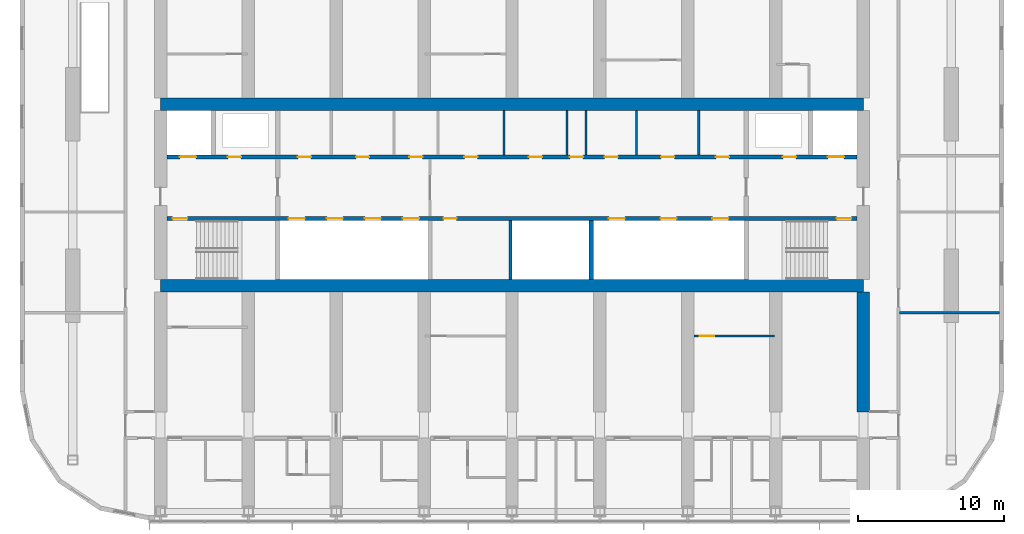
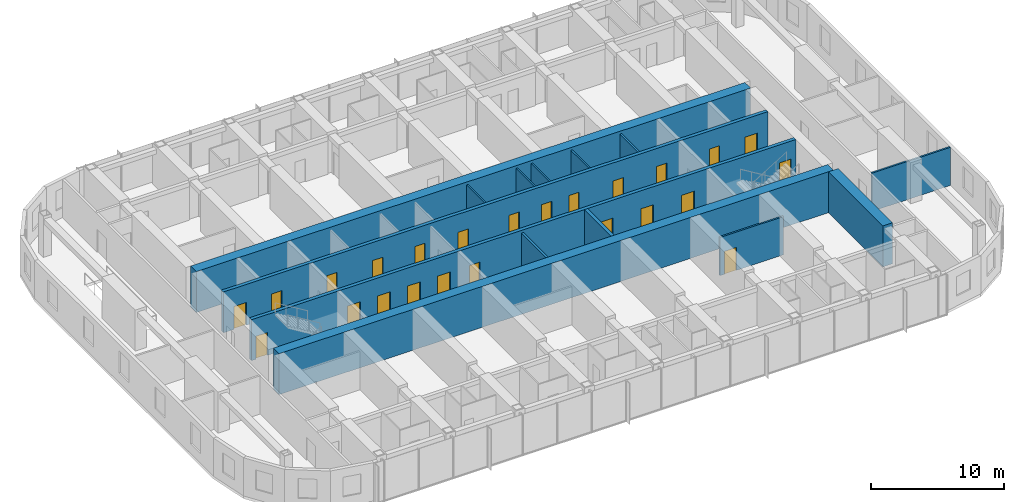
# One storey, part 13 of 22: 24 doors, 14 walls, 24 openings.
"""IFC4 building model written with IfcOpenShell, lengths in metres."""

from ifc_helpers import new_model, si_unit, direction, frame, frame_2d, origin, place, context, subcontext, project, spatial, rectangle, extrude, material, layer, layer_set, type_object, element, fill, save


model = new_model("IFC4")

# Units and contexts
model_context = context("Model", 3, precision=1e-05, world=origin(), true_north=direction((0.0, 1.0)))
body_context = subcontext(model_context, "Body", "Model", "MODEL_VIEW")
ifc_project = project(units=[si_unit("LENGTHUNIT", "METRE"), si_unit("AREAUNIT", "SQUARE_METRE"), si_unit("VOLUMEUNIT", "CUBIC_METRE"), si_unit("PLANEANGLEUNIT", "RADIAN"), si_unit("MASSUNIT", "GRAM", prefix="KILO")], contexts=[model_context])

# Site, building, storey
site_placement = place(None, origin())
site = spatial("IfcSite", under=ifc_project, at=site_placement, CompositionType="ELEMENT")
building_placement = place(site_placement, origin())
building = spatial("IfcBuilding", under=site, at=building_placement, Name="Orbita Commons", CompositionType="ELEMENT")
storey_placement = place(building_placement, frame((0.0, 0.0, 167.35009765625)))
storey = spatial("IfcBuildingStorey", under=building, at=storey_placement, Name="L41", CompositionType="ELEMENT", Elevation=167.35009765625)

# Wall, openings, doors
ifc_material_1 = material(Name="Concrete C50/60", Category="concrete")
ifc_layer_1 = layer(ifc_material_1, 0.300048828125)
ifc_layer_set_1 = layer_set([ifc_layer_1], Name="Concrete C50/60")
wall_type_1 = type_object("IfcWallType", Name="Core inner wall 300 C50/60", PredefinedType="SHEAR", material=ifc_layer_set_1)
wall_1_placement = place(storey_placement, frame((18.425048828125, 30.39990234375, 0.0), z_axis=(0.0, 0.0, 1.0), x_axis=(1.0, 0.0, 0.0)))
wall_1 = element("IfcWall", 1, at=wall_1_placement, inside=storey, type_object=wall_type_1, Name="Lobby wall south L41", PredefinedType="SHEAR", context=body_context, shape_type="SweptSolid", body=[
    extrude(rectangle(XDim=47.14990234375, YDim=0.300048828125, at=frame_2d((23.574951171875, 0.0))), origin(), (0.0, 0.0, 1.0), 3.75),
])
opening_1_placement = place(wall_1_placement, frame((0.39990234375, 0.0, 0.0)))
opening_1 = element("IfcOpeningElement", 2, at=opening_1_placement, cuts=wall_1, Name="Opening D02", PredefinedType="OPENING", context=body_context, shape_type="SweptSolid", body=[
    extrude(rectangle(XDim=1.0, YDim=2.10009765625, at=frame_2d((0.5, 1.050048828125))), frame((0.0, 0.159912109375, 0.0), z_axis=(0.0, -1.0, 0.0), x_axis=(1.0, 0.0, 0.0)), (0.0, 0.0, 1.0), 0.320068359375),
])
opening_2_placement = place(wall_1_placement, frame((45.75, 0.0, 0.0)))
opening_2 = element("IfcOpeningElement", 3, at=opening_2_placement, cuts=wall_1, Name="Opening D02", PredefinedType="OPENING", context=body_context, shape_type="SweptSolid", body=[
    extrude(rectangle(XDim=1.0, YDim=2.10009765625, at=frame_2d((0.5, 1.050048828125))), frame((0.0, 0.159912109375, 0.0), z_axis=(0.0, -1.0, 0.0), x_axis=(1.0, 0.0, 0.0)), (0.0, 0.0, 1.0), 0.320068359375),
])
opening_3_placement = place(wall_1_placement, frame((8.324951171875, 0.0, 0.0)))
opening_3 = element("IfcOpeningElement", 4, at=opening_3_placement, cuts=wall_1, Name="Opening LD02", PredefinedType="OPENING", context=body_context, shape_type="SweptSolid", body=[
    extrude(rectangle(XDim=1.10009765625, YDim=2.10009765625, at=frame_2d((0.550048828125, 1.050048828125))), frame((0.0, 0.159912109375, 0.0), z_axis=(0.0, -1.0, 0.0), x_axis=(1.0, 0.0, 0.0)), (0.0, 0.0, 1.0), 0.320068359375),
])
opening_4_placement = place(wall_1_placement, frame((10.925048828125, 0.0, 0.0)))
opening_4 = element("IfcOpeningElement", 5, at=opening_4_placement, cuts=wall_1, Name="Opening LD02", PredefinedType="OPENING", context=body_context, shape_type="SweptSolid", body=[
    extrude(rectangle(XDim=1.10009765625, YDim=2.10009765625, at=frame_2d((0.550048828125, 1.050048828125))), frame((0.0, 0.159912109375, 0.0), z_axis=(0.0, -1.0, 0.0), x_axis=(1.0, 0.0, 0.0)), (0.0, 0.0, 1.0), 0.320068359375),
])
opening_5_placement = place(wall_1_placement, frame((13.52490234375, 0.0, 0.0)))
opening_5 = element("IfcOpeningElement", 6, at=opening_5_placement, cuts=wall_1, Name="Opening LD02", PredefinedType="OPENING", context=body_context, shape_type="SweptSolid", body=[
    extrude(rectangle(XDim=1.10009765625, YDim=2.10009765625, at=frame_2d((0.550048828125, 1.050048828125))), frame((0.0, 0.159912109375, 0.0), z_axis=(0.0, -1.0, 0.0), x_axis=(1.0, 0.0, 0.0)), (0.0, 0.0, 1.0), 0.320068359375),
])
opening_6_placement = place(wall_1_placement, frame((16.125, 0.0, 0.0)))
opening_6 = element("IfcOpeningElement", 7, at=opening_6_placement, cuts=wall_1, Name="Opening LD02", PredefinedType="OPENING", context=body_context, shape_type="SweptSolid", body=[
    extrude(rectangle(XDim=1.10009765625, YDim=2.10009765625, at=frame_2d((0.550048828125, 1.050048828125))), frame((0.0, 0.159912109375, 0.0), z_axis=(0.0, -1.0, 0.0), x_axis=(1.0, 0.0, 0.0)), (0.0, 0.0, 1.0), 0.320068359375),
])
opening_7_placement = place(wall_1_placement, frame((18.89990234375, 0.0, 0.0)))
opening_7 = element("IfcOpeningElement", 8, at=opening_7_placement, cuts=wall_1, Name="Opening D05", PredefinedType="OPENING", context=body_context, shape_type="SweptSolid", body=[
    extrude(rectangle(XDim=0.89990234375, YDim=2.10009765625, at=frame_2d((0.449951171875, 1.050048828125))), frame((0.0, 0.159912109375, 0.0), z_axis=(0.0, -1.0, 0.0), x_axis=(1.0, 0.0, 0.0)), (0.0, 0.0, 1.0), 0.320068359375),
])
opening_8_placement = place(wall_1_placement, frame((30.191650390625, 0.0, 0.0)))
opening_8 = element("IfcOpeningElement", 9, at=opening_8_placement, cuts=wall_1, Name="Opening LD02", PredefinedType="OPENING", context=body_context, shape_type="SweptSolid", body=[
    extrude(rectangle(XDim=1.10009765625, YDim=2.10009765625, at=frame_2d((0.550048828125, 1.050048828125))), frame((0.0, 0.159912109375, 0.0), z_axis=(0.0, -1.0, 0.0), x_axis=(1.0, 0.0, 0.0)), (0.0, 0.0, 1.0), 0.320068359375),
])
opening_9_placement = place(wall_1_placement, frame((33.72509765625, 0.0, 0.0)))
opening_9 = element("IfcOpeningElement", 10, at=opening_9_placement, cuts=wall_1, Name="Opening LD02", PredefinedType="OPENING", context=body_context, shape_type="SweptSolid", body=[
    extrude(rectangle(XDim=1.10009765625, YDim=2.10009765625, at=frame_2d((0.550048828125, 1.050048828125))), frame((0.0, 0.159912109375, 0.0), z_axis=(0.0, -1.0, 0.0), x_axis=(1.0, 0.0, 0.0)), (0.0, 0.0, 1.0), 0.320068359375),
])
opening_10_placement = place(wall_1_placement, frame((37.25830078125, 0.0, 0.0)))
opening_10 = element("IfcOpeningElement", 11, at=opening_10_placement, cuts=wall_1, Name="Opening LD02", PredefinedType="OPENING", context=body_context, shape_type="SweptSolid", body=[
    extrude(rectangle(XDim=1.10009765625, YDim=2.10009765625, at=frame_2d((0.550048828125, 1.050048828125))), frame((0.0, 0.159912109375, 0.0), z_axis=(0.0, -1.0, 0.0), x_axis=(1.0, 0.0, 0.0)), (0.0, 0.0, 1.0), 0.320068359375),
])
ifc_material_2 = material(Name="Steel-faced fire door leaf", Category="steel")
door_type_1 = type_object("IfcDoorType", Name="Fire door 90 min 1000x2100", OperationType="SINGLE_SWING_LEFT", PredefinedType="DOOR", material=ifc_material_2)
door_1_placement = place(opening_1_placement, origin())
door_1 = element("IfcDoor", 12, at=door_1_placement, inside=storey, type_object=door_type_1, Name="Stair S1 door", OperationType="SINGLE_SWING_LEFT", OverallHeight=2.10009765625, OverallWidth=1.0, PredefinedType="DOOR", context=body_context, shape_type="SweptSolid", body=[
    extrude(rectangle(XDim=1.0, YDim=2.10009765625, at=frame_2d((0.5, 1.050048828125))), frame((0.0, 0.02490234375, 0.0), z_axis=(0.0, -1.0, 0.0), x_axis=(1.0, 0.0, 0.0)), (0.0, 0.0, 1.0), 0.050048828125),
])
fill(opening_1, door_1)
door_2_placement = place(opening_2_placement, origin())
door_2 = element("IfcDoor", 13, at=door_2_placement, inside=storey, type_object=door_type_1, Name="Stair S2 door", OperationType="SINGLE_SWING_LEFT", OverallHeight=2.10009765625, OverallWidth=1.0, PredefinedType="DOOR", context=body_context, shape_type="SweptSolid", body=[
    extrude(rectangle(XDim=1.0, YDim=2.10009765625, at=frame_2d((0.5, 1.050048828125))), frame((0.0, 0.02490234375, 0.0), z_axis=(0.0, -1.0, 0.0), x_axis=(1.0, 0.0, 0.0)), (0.0, 0.0, 1.0), 0.050048828125),
])
fill(opening_2, door_2)
ifc_material_3 = material(Name="Steel-faced fire door leaf", Category="steel")
door_type_2 = type_object("IfcDoorType", Name="Lift landing door 1100x2100", OperationType="DOUBLE_DOOR_SLIDING", PredefinedType="DOOR", material=ifc_material_3)
door_3_placement = place(opening_3_placement, origin())
door_3 = element("IfcDoor", 14, at=door_3_placement, inside=storey, type_object=door_type_2, Name="Lift P31 landing door", OperationType="DOUBLE_DOOR_SLIDING", OverallHeight=2.10009765625, OverallWidth=1.10009765625, PredefinedType="DOOR", context=body_context, shape_type="SweptSolid", body=[
    extrude(rectangle(XDim=1.10009765625, YDim=2.10009765625, at=frame_2d((0.550048828125, 1.050048828125))), frame((0.0, 0.02490234375, 0.0), z_axis=(0.0, -1.0, 0.0), x_axis=(1.0, 0.0, 0.0)), (0.0, 0.0, 1.0), 0.050048828125),
])
fill(opening_3, door_3)
door_4_placement = place(opening_4_placement, origin())
door_4 = element("IfcDoor", 15, at=door_4_placement, inside=storey, type_object=door_type_2, Name="Lift P32 landing door", OperationType="DOUBLE_DOOR_SLIDING", OverallHeight=2.10009765625, OverallWidth=1.10009765625, PredefinedType="DOOR", context=body_context, shape_type="SweptSolid", body=[
    extrude(rectangle(XDim=1.10009765625, YDim=2.10009765625, at=frame_2d((0.550048828125, 1.050048828125))), frame((0.0, 0.02490234375, 0.0), z_axis=(0.0, -1.0, 0.0), x_axis=(1.0, 0.0, 0.0)), (0.0, 0.0, 1.0), 0.050048828125),
])
fill(opening_4, door_4)
door_5_placement = place(opening_5_placement, origin())
door_5 = element("IfcDoor", 16, at=door_5_placement, inside=storey, type_object=door_type_2, Name="Lift P33 landing door", OperationType="DOUBLE_DOOR_SLIDING", OverallHeight=2.10009765625, OverallWidth=1.10009765625, PredefinedType="DOOR", context=body_context, shape_type="SweptSolid", body=[
    extrude(rectangle(XDim=1.10009765625, YDim=2.10009765625, at=frame_2d((0.550048828125, 1.050048828125))), frame((0.0, 0.02490234375, 0.0), z_axis=(0.0, -1.0, 0.0), x_axis=(1.0, 0.0, 0.0)), (0.0, 0.0, 1.0), 0.050048828125),
])
fill(opening_5, door_5)
door_6_placement = place(opening_6_placement, origin())
door_6 = element("IfcDoor", 17, at=door_6_placement, inside=storey, type_object=door_type_2, Name="Lift P34 landing door", OperationType="DOUBLE_DOOR_SLIDING", OverallHeight=2.10009765625, OverallWidth=1.10009765625, PredefinedType="DOOR", context=body_context, shape_type="SweptSolid", body=[
    extrude(rectangle(XDim=1.10009765625, YDim=2.10009765625, at=frame_2d((0.550048828125, 1.050048828125))), frame((0.0, 0.02490234375, 0.0), z_axis=(0.0, -1.0, 0.0), x_axis=(1.0, 0.0, 0.0)), (0.0, 0.0, 1.0), 0.050048828125),
])
fill(opening_6, door_6)
door_7_placement = place(opening_8_placement, origin())
door_7 = element("IfcDoor", 18, at=door_7_placement, inside=storey, type_object=door_type_2, Name="Lift SV1 landing door", OperationType="DOUBLE_DOOR_SLIDING", OverallHeight=2.10009765625, OverallWidth=1.10009765625, PredefinedType="DOOR", context=body_context, shape_type="SweptSolid", body=[
    extrude(rectangle(XDim=1.10009765625, YDim=2.10009765625, at=frame_2d((0.550048828125, 1.050048828125))), frame((0.0, 0.02490234375, 0.0), z_axis=(0.0, -1.0, 0.0), x_axis=(1.0, 0.0, 0.0)), (0.0, 0.0, 1.0), 0.050048828125),
])
fill(opening_8, door_7)
door_8_placement = place(opening_9_placement, origin())
door_8 = element("IfcDoor", 19, at=door_8_placement, inside=storey, type_object=door_type_2, Name="Lift SV2 landing door", OperationType="DOUBLE_DOOR_SLIDING", OverallHeight=2.10009765625, OverallWidth=1.10009765625, PredefinedType="DOOR", context=body_context, shape_type="SweptSolid", body=[
    extrude(rectangle(XDim=1.10009765625, YDim=2.10009765625, at=frame_2d((0.550048828125, 1.050048828125))), frame((0.0, 0.02490234375, 0.0), z_axis=(0.0, -1.0, 0.0), x_axis=(1.0, 0.0, 0.0)), (0.0, 0.0, 1.0), 0.050048828125),
])
fill(opening_9, door_8)
door_9_placement = place(opening_10_placement, origin())
door_9 = element("IfcDoor", 20, at=door_9_placement, inside=storey, type_object=door_type_2, Name="Lift SV3 landing door", OperationType="DOUBLE_DOOR_SLIDING", OverallHeight=2.10009765625, OverallWidth=1.10009765625, PredefinedType="DOOR", context=body_context, shape_type="SweptSolid", body=[
    extrude(rectangle(XDim=1.10009765625, YDim=2.10009765625, at=frame_2d((0.550048828125, 1.050048828125))), frame((0.0, 0.02490234375, 0.0), z_axis=(0.0, -1.0, 0.0), x_axis=(1.0, 0.0, 0.0)), (0.0, 0.0, 1.0), 0.050048828125),
])
fill(opening_10, door_9)
ifc_material_4 = material(Name="Steel-faced fire door leaf", Category="steel")
door_type_3 = type_object("IfcDoorType", Name="Service door 20 min 900x2100", OperationType="SINGLE_SWING_LEFT", PredefinedType="DOOR", material=ifc_material_4)
door_10_placement = place(opening_7_placement, origin())
door_10 = element("IfcDoor", 21, at=door_10_placement, inside=storey, type_object=door_type_3, Name="Telecoms room door", OperationType="SINGLE_SWING_LEFT", OverallHeight=2.10009765625, OverallWidth=0.89990234375, PredefinedType="DOOR", context=body_context, shape_type="SweptSolid", body=[
    extrude(rectangle(XDim=0.89990234375, YDim=2.10009765625, at=frame_2d((0.449951171875, 1.050048828125))), frame((0.0, 0.02490234375, 0.0), z_axis=(0.0, -1.0, 0.0), x_axis=(1.0, 0.0, 0.0)), (0.0, 0.0, 1.0), 0.050048828125),
])
fill(opening_7, door_10)

wall_2_placement = place(storey_placement, frame((18.425048828125, 34.60009765625, 0.0), z_axis=(0.0, 0.0, 1.0), x_axis=(1.0, 0.0, 0.0)))
wall_2 = element("IfcWall", 22, at=wall_2_placement, inside=storey, type_object=wall_type_1, Name="Lobby wall north L41", PredefinedType="SHEAR", context=body_context, shape_type="SweptSolid", body=[
    extrude(rectangle(XDim=47.14990234375, YDim=0.300048828125, at=frame_2d((23.574951171875, 0.0))), origin(), (0.0, 0.0, 1.0), 3.75),
])
opening_11_placement = place(wall_2_placement, frame((0.89990234375, 0.0, 0.0)))
opening_11 = element("IfcOpeningElement", 23, at=opening_11_placement, cuts=wall_2, Name="Opening LD01", PredefinedType="OPENING", context=body_context, shape_type="SweptSolid", body=[
    extrude(rectangle(XDim=1.10009765625, YDim=2.10009765625, at=frame_2d((0.550048828125, 1.050048828125))), frame((0.0, 0.159912109375, 0.0), z_axis=(0.0, -1.0, 0.0), x_axis=(1.0, 0.0, 0.0)), (0.0, 0.0, 1.0), 0.320068359375),
])
opening_12_placement = place(wall_2_placement, frame((45.14990234375, 0.0, 0.0)))
opening_12 = element("IfcOpeningElement", 24, at=opening_12_placement, cuts=wall_2, Name="Opening LD01", PredefinedType="OPENING", context=body_context, shape_type="SweptSolid", body=[
    extrude(rectangle(XDim=1.10009765625, YDim=2.10009765625, at=frame_2d((0.550048828125, 1.050048828125))), frame((0.0, 0.159912109375, 0.0), z_axis=(0.0, -1.0, 0.0), x_axis=(1.0, 0.0, 0.0)), (0.0, 0.0, 1.0), 0.320068359375),
])
opening_13_placement = place(wall_2_placement, frame((4.175048828125, 0.0, 0.0)))
opening_13 = element("IfcOpeningElement", 25, at=opening_13_placement, cuts=wall_2, Name="Opening D03", PredefinedType="OPENING", context=body_context, shape_type="SweptSolid", body=[
    extrude(rectangle(XDim=0.89990234375, YDim=2.10009765625, at=frame_2d((0.449951171875, 1.050048828125))), frame((0.0, 0.159912109375, 0.0), z_axis=(0.0, -1.0, 0.0), x_axis=(1.0, 0.0, 0.0)), (0.0, 0.0, 1.0), 0.320068359375),
])
opening_14_placement = place(wall_2_placement, frame((42.074951171875, 0.0, 0.0)))
opening_14 = element("IfcOpeningElement", 26, at=opening_14_placement, cuts=wall_2, Name="Opening D03", PredefinedType="OPENING", context=body_context, shape_type="SweptSolid", body=[
    extrude(rectangle(XDim=0.89990234375, YDim=2.10009765625, at=frame_2d((0.449951171875, 1.050048828125))), frame((0.0, 0.159912109375, 0.0), z_axis=(0.0, -1.0, 0.0), x_axis=(1.0, 0.0, 0.0)), (0.0, 0.0, 1.0), 0.320068359375),
])
opening_15_placement = place(wall_2_placement, frame((8.950439453125, 0.0, 0.0)))
opening_15 = element("IfcOpeningElement", 27, at=opening_15_placement, cuts=wall_2, Name="Opening D05", PredefinedType="OPENING", context=body_context, shape_type="SweptSolid", body=[
    extrude(rectangle(XDim=0.89990234375, YDim=2.10009765625, at=frame_2d((0.449951171875, 1.050048828125))), frame((0.0, 0.159912109375, 0.0), z_axis=(0.0, -1.0, 0.0), x_axis=(1.0, 0.0, 0.0)), (0.0, 0.0, 1.0), 0.320068359375),
])
opening_16_placement = place(wall_2_placement, frame((12.923583984375, 0.0, 0.0)))
opening_16 = element("IfcOpeningElement", 28, at=opening_16_placement, cuts=wall_2, Name="Opening D03", PredefinedType="OPENING", context=body_context, shape_type="SweptSolid", body=[
    extrude(rectangle(XDim=0.89990234375, YDim=2.10009765625, at=frame_2d((0.449951171875, 1.050048828125))), frame((0.0, 0.159912109375, 0.0), z_axis=(0.0, -1.0, 0.0), x_axis=(1.0, 0.0, 0.0)), (0.0, 0.0, 1.0), 0.320068359375),
])
opening_17_placement = place(wall_2_placement, frame((16.5712890625, 0.0, 0.0)))
opening_17 = element("IfcOpeningElement", 29, at=opening_17_placement, cuts=wall_2, Name="Opening D03", PredefinedType="OPENING", context=body_context, shape_type="SweptSolid", body=[
    extrude(rectangle(XDim=0.89990234375, YDim=2.10009765625, at=frame_2d((0.449951171875, 1.050048828125))), frame((0.0, 0.159912109375, 0.0), z_axis=(0.0, -1.0, 0.0), x_axis=(1.0, 0.0, 0.0)), (0.0, 0.0, 1.0), 0.320068359375),
])
opening_18_placement = place(wall_2_placement, frame((20.32958984375, 0.0, 0.0)))
opening_18 = element("IfcOpeningElement", 30, at=opening_18_placement, cuts=wall_2, Name="Opening D03", PredefinedType="OPENING", context=body_context, shape_type="SweptSolid", body=[
    extrude(rectangle(XDim=0.89990234375, YDim=2.10009765625, at=frame_2d((0.449951171875, 1.050048828125))), frame((0.0, 0.159912109375, 0.0), z_axis=(0.0, -1.0, 0.0), x_axis=(1.0, 0.0, 0.0)), (0.0, 0.0, 1.0), 0.320068359375),
])
opening_19_placement = place(wall_2_placement, frame((24.735595703125, 0.0, 0.0)))
opening_19 = element("IfcOpeningElement", 31, at=opening_19_placement, cuts=wall_2, Name="Opening D03", PredefinedType="OPENING", context=body_context, shape_type="SweptSolid", body=[
    extrude(rectangle(XDim=0.89990234375, YDim=2.10009765625, at=frame_2d((0.449951171875, 1.050048828125))), frame((0.0, 0.159912109375, 0.0), z_axis=(0.0, -1.0, 0.0), x_axis=(1.0, 0.0, 0.0)), (0.0, 0.0, 1.0), 0.320068359375),
])
opening_20_placement = place(wall_2_placement, frame((27.533447265625, 0.0, 0.0)))
opening_20 = element("IfcOpeningElement", 32, at=opening_20_placement, cuts=wall_2, Name="Opening D03", PredefinedType="OPENING", context=body_context, shape_type="SweptSolid", body=[
    extrude(rectangle(XDim=0.89990234375, YDim=2.10009765625, at=frame_2d((0.449951171875, 1.050048828125))), frame((0.0, 0.159912109375, 0.0), z_axis=(0.0, -1.0, 0.0), x_axis=(1.0, 0.0, 0.0)), (0.0, 0.0, 1.0), 0.320068359375),
])
opening_21_placement = place(wall_2_placement, frame((29.90576171875, 0.0, 0.0)))
opening_21 = element("IfcOpeningElement", 33, at=opening_21_placement, cuts=wall_2, Name="Opening D03", PredefinedType="OPENING", context=body_context, shape_type="SweptSolid", body=[
    extrude(rectangle(XDim=0.89990234375, YDim=2.10009765625, at=frame_2d((0.449951171875, 1.050048828125))), frame((0.0, 0.159912109375, 0.0), z_axis=(0.0, -1.0, 0.0), x_axis=(1.0, 0.0, 0.0)), (0.0, 0.0, 1.0), 0.320068359375),
])
opening_22_placement = place(wall_2_placement, frame((33.755615234375, 0.0, 0.0)))
opening_22 = element("IfcOpeningElement", 34, at=opening_22_placement, cuts=wall_2, Name="Opening D05", PredefinedType="OPENING", context=body_context, shape_type="SweptSolid", body=[
    extrude(rectangle(XDim=0.89990234375, YDim=2.10009765625, at=frame_2d((0.449951171875, 1.050048828125))), frame((0.0, 0.159912109375, 0.0), z_axis=(0.0, -1.0, 0.0), x_axis=(1.0, 0.0, 0.0)), (0.0, 0.0, 1.0), 0.320068359375),
])
opening_23_placement = place(wall_2_placement, frame((37.50390625, 0.0, 0.0)))
opening_23 = element("IfcOpeningElement", 35, at=opening_23_placement, cuts=wall_2, Name="Opening D03", PredefinedType="OPENING", context=body_context, shape_type="SweptSolid", body=[
    extrude(rectangle(XDim=0.89990234375, YDim=2.10009765625, at=frame_2d((0.449951171875, 1.050048828125))), frame((0.0, 0.159912109375, 0.0), z_axis=(0.0, -1.0, 0.0), x_axis=(1.0, 0.0, 0.0)), (0.0, 0.0, 1.0), 0.320068359375),
])
ifc_material_5 = material(Name="Steel-faced fire door leaf", Category="steel")
door_type_4 = type_object("IfcDoorType", Name="Firefighting lift landing door 1100x2100", OperationType="DOUBLE_DOOR_SLIDING", PredefinedType="DOOR", material=ifc_material_5)
door_11_placement = place(opening_11_placement, origin())
door_11 = element("IfcDoor", 36, at=door_11_placement, inside=storey, type_object=door_type_4, Name="Firefighting lift FL1 landing door", OperationType="DOUBLE_DOOR_SLIDING", OverallHeight=2.10009765625, OverallWidth=1.10009765625, PredefinedType="DOOR", context=body_context, shape_type="SweptSolid", body=[
    extrude(rectangle(XDim=1.10009765625, YDim=2.10009765625, at=frame_2d((0.550048828125, 1.050048828125))), frame((0.0, 0.02490234375, 0.0), z_axis=(0.0, -1.0, 0.0), x_axis=(1.0, 0.0, 0.0)), (0.0, 0.0, 1.0), 0.050048828125),
])
fill(opening_11, door_11)
door_12_placement = place(opening_12_placement, origin())
door_12 = element("IfcDoor", 37, at=door_12_placement, inside=storey, type_object=door_type_4, Name="Firefighting lift FL2 landing door", OperationType="DOUBLE_DOOR_SLIDING", OverallHeight=2.10009765625, OverallWidth=1.10009765625, PredefinedType="DOOR", context=body_context, shape_type="SweptSolid", body=[
    extrude(rectangle(XDim=1.10009765625, YDim=2.10009765625, at=frame_2d((0.550048828125, 1.050048828125))), frame((0.0, 0.02490234375, 0.0), z_axis=(0.0, -1.0, 0.0), x_axis=(1.0, 0.0, 0.0)), (0.0, 0.0, 1.0), 0.050048828125),
])
fill(opening_12, door_12)
door_13_placement = place(opening_15_placement, origin())
door_13 = element("IfcDoor", 38, at=door_13_placement, inside=storey, type_object=door_type_3, Name="Accessible WC door", OperationType="SINGLE_SWING_LEFT", OverallHeight=2.10009765625, OverallWidth=0.89990234375, PredefinedType="DOOR", context=body_context, shape_type="SweptSolid", body=[
    extrude(rectangle(XDim=0.89990234375, YDim=2.10009765625, at=frame_2d((0.449951171875, 1.050048828125))), frame((0.0, 0.02490234375, 0.0), z_axis=(0.0, -1.0, 0.0), x_axis=(1.0, 0.0, 0.0)), (0.0, 0.0, 1.0), 0.050048828125),
])
fill(opening_15, door_13)
door_14_placement = place(opening_22_placement, origin())
door_14 = element("IfcDoor", 39, at=door_14_placement, inside=storey, type_object=door_type_3, Name="Guest pantry door", OperationType="SINGLE_SWING_LEFT", OverallHeight=2.10009765625, OverallWidth=0.89990234375, PredefinedType="DOOR", context=body_context, shape_type="SweptSolid", body=[
    extrude(rectangle(XDim=0.89990234375, YDim=2.10009765625, at=frame_2d((0.449951171875, 1.050048828125))), frame((0.0, 0.02490234375, 0.0), z_axis=(0.0, -1.0, 0.0), x_axis=(1.0, 0.0, 0.0)), (0.0, 0.0, 1.0), 0.050048828125),
])
fill(opening_22, door_14)
ifc_material_6 = material(Name="Steel-faced fire door leaf", Category="steel")
door_type_5 = type_object("IfcDoorType", Name="Shaft access door 90 min 900x2100", OperationType="SINGLE_SWING_LEFT", PredefinedType="DOOR", material=ifc_material_6)
door_15_placement = place(opening_13_placement, origin())
door_15 = element("IfcDoor", 40, at=door_15_placement, inside=storey, type_object=door_type_5, Name="Riser door west", OperationType="SINGLE_SWING_LEFT", OverallHeight=2.10009765625, OverallWidth=0.89990234375, PredefinedType="DOOR", context=body_context, shape_type="SweptSolid", body=[
    extrude(rectangle(XDim=0.89990234375, YDim=2.10009765625, at=frame_2d((0.449951171875, 1.050048828125))), frame((0.0, 0.02490234375, 0.0), z_axis=(0.0, -1.0, 0.0), x_axis=(1.0, 0.0, 0.0)), (0.0, 0.0, 1.0), 0.050048828125),
])
fill(opening_13, door_15)
door_16_placement = place(opening_14_placement, origin())
door_16 = element("IfcDoor", 41, at=door_16_placement, inside=storey, type_object=door_type_5, Name="Riser door east", OperationType="SINGLE_SWING_LEFT", OverallHeight=2.10009765625, OverallWidth=0.89990234375, PredefinedType="DOOR", context=body_context, shape_type="SweptSolid", body=[
    extrude(rectangle(XDim=0.89990234375, YDim=2.10009765625, at=frame_2d((0.449951171875, 1.050048828125))), frame((0.0, 0.02490234375, 0.0), z_axis=(0.0, -1.0, 0.0), x_axis=(1.0, 0.0, 0.0)), (0.0, 0.0, 1.0), 0.050048828125),
])
fill(opening_14, door_16)
door_17_placement = place(opening_16_placement, origin())
door_17 = element("IfcDoor", 42, at=door_17_placement, inside=storey, type_object=door_type_5, Name="Refuse chute room door", OperationType="SINGLE_SWING_LEFT", OverallHeight=2.10009765625, OverallWidth=0.89990234375, PredefinedType="DOOR", context=body_context, shape_type="SweptSolid", body=[
    extrude(rectangle(XDim=0.89990234375, YDim=2.10009765625, at=frame_2d((0.449951171875, 1.050048828125))), frame((0.0, 0.02490234375, 0.0), z_axis=(0.0, -1.0, 0.0), x_axis=(1.0, 0.0, 0.0)), (0.0, 0.0, 1.0), 0.050048828125),
])
fill(opening_16, door_17)
door_18_placement = place(opening_17_placement, origin())
door_18 = element("IfcDoor", 43, at=door_18_placement, inside=storey, type_object=door_type_5, Name="Electrical riser room door", OperationType="SINGLE_SWING_LEFT", OverallHeight=2.10009765625, OverallWidth=0.89990234375, PredefinedType="DOOR", context=body_context, shape_type="SweptSolid", body=[
    extrude(rectangle(XDim=0.89990234375, YDim=2.10009765625, at=frame_2d((0.449951171875, 1.050048828125))), frame((0.0, 0.02490234375, 0.0), z_axis=(0.0, -1.0, 0.0), x_axis=(1.0, 0.0, 0.0)), (0.0, 0.0, 1.0), 0.050048828125),
])
fill(opening_17, door_18)
door_19_placement = place(opening_18_placement, origin())
door_19 = element("IfcDoor", 44, at=door_19_placement, inside=storey, type_object=door_type_5, Name="Storage room door", OperationType="SINGLE_SWING_LEFT", OverallHeight=2.10009765625, OverallWidth=0.89990234375, PredefinedType="DOOR", context=body_context, shape_type="SweptSolid", body=[
    extrude(rectangle(XDim=0.89990234375, YDim=2.10009765625, at=frame_2d((0.449951171875, 1.050048828125))), frame((0.0, 0.02490234375, 0.0), z_axis=(0.0, -1.0, 0.0), x_axis=(1.0, 0.0, 0.0)), (0.0, 0.0, 1.0), 0.050048828125),
])
fill(opening_18, door_19)
door_20_placement = place(opening_19_placement, origin())
door_20 = element("IfcDoor", 45, at=door_20_placement, inside=storey, type_object=door_type_5, Name="Communications room door", OperationType="SINGLE_SWING_LEFT", OverallHeight=2.10009765625, OverallWidth=0.89990234375, PredefinedType="DOOR", context=body_context, shape_type="SweptSolid", body=[
    extrude(rectangle(XDim=0.89990234375, YDim=2.10009765625, at=frame_2d((0.449951171875, 1.050048828125))), frame((0.0, 0.02490234375, 0.0), z_axis=(0.0, -1.0, 0.0), x_axis=(1.0, 0.0, 0.0)), (0.0, 0.0, 1.0), 0.050048828125),
])
fill(opening_19, door_20)
door_21_placement = place(opening_20_placement, origin())
door_21 = element("IfcDoor", 46, at=door_21_placement, inside=storey, type_object=door_type_5, Name="Stair pressurisation duct door", OperationType="SINGLE_SWING_LEFT", OverallHeight=2.10009765625, OverallWidth=0.89990234375, PredefinedType="DOOR", context=body_context, shape_type="SweptSolid", body=[
    extrude(rectangle(XDim=0.89990234375, YDim=2.10009765625, at=frame_2d((0.449951171875, 1.050048828125))), frame((0.0, 0.02490234375, 0.0), z_axis=(0.0, -1.0, 0.0), x_axis=(1.0, 0.0, 0.0)), (0.0, 0.0, 1.0), 0.050048828125),
])
fill(opening_20, door_21)
door_22_placement = place(opening_21_placement, origin())
door_22 = element("IfcDoor", 47, at=door_22_placement, inside=storey, type_object=door_type_5, Name="IT room door", OperationType="SINGLE_SWING_LEFT", OverallHeight=2.10009765625, OverallWidth=0.89990234375, PredefinedType="DOOR", context=body_context, shape_type="SweptSolid", body=[
    extrude(rectangle(XDim=0.89990234375, YDim=2.10009765625, at=frame_2d((0.449951171875, 1.050048828125))), frame((0.0, 0.02490234375, 0.0), z_axis=(0.0, -1.0, 0.0), x_axis=(1.0, 0.0, 0.0)), (0.0, 0.0, 1.0), 0.050048828125),
])
fill(opening_21, door_22)
door_23_placement = place(opening_23_placement, origin())
door_23 = element("IfcDoor", 48, at=door_23_placement, inside=storey, type_object=door_type_5, Name="Cleaners store door", OperationType="SINGLE_SWING_LEFT", OverallHeight=2.10009765625, OverallWidth=0.89990234375, PredefinedType="DOOR", context=body_context, shape_type="SweptSolid", body=[
    extrude(rectangle(XDim=0.89990234375, YDim=2.10009765625, at=frame_2d((0.449951171875, 1.050048828125))), frame((0.0, 0.02490234375, 0.0), z_axis=(0.0, -1.0, 0.0), x_axis=(1.0, 0.0, 0.0)), (0.0, 0.0, 1.0), 0.050048828125),
])
fill(opening_23, door_23)

# Walls
wall_3_placement = place(storey_placement, frame((47.39990234375, 26.22509765625, 0.0), z_axis=(0.0, 0.0, 1.0), x_axis=(0.0, 1.0, 0.0)))
element("IfcWall", 49, at=wall_3_placement, inside=storey, type_object=wall_type_1, Name="Hoistway division wall L41", PredefinedType="SHEAR", context=body_context, shape_type="SweptSolid", body=[
    extrude(rectangle(XDim=4.02490234375, YDim=0.300048828125, at=frame_2d((2.012451171875, 0.0))), origin(), (0.0, 0.0, 1.0), 3.75),
])
ifc_material_7 = material(Name="Concrete blockwork", Category="masonry")
ifc_layer_2 = layer(ifc_material_7, 0.14990234375)
ifc_layer_set_2 = layer_set([ifc_layer_2], Name="Concrete blockwork")
wall_type_2 = type_object("IfcWallType", Name="Core partition 150 blockwork", PredefinedType="SOLIDWALL", material=ifc_layer_set_2)
for number, where, z_axis, x_axis, name in (
    (50, (41.463134765625, 34.75, 0.0), (0.0, 0.0, 1.0), (0.0, 1.0, 0.0), "Core partition 150 blockwork L41"),
    (51, (45.75830078125, 34.75, 0.0), (0.0, 0.0, 1.0), (0.0, 1.0, 0.0), "Core partition 150 blockwork L41"),
    (52, (47.058349609375, 34.75, 0.0), (0.0, 0.0, 1.0), (0.0, 1.0, 0.0), "Core partition 150 blockwork L41"),
    (53, (50.5029296875, 34.75, 0.0), (0.0, 0.0, 1.0), (0.0, 1.0, 0.0), "Core partition 150 blockwork L41"),
    (54, (54.758056640625, 34.75, 0.0), (0.0, 0.0, 1.0), (0.0, 1.0, 0.0), "Core partition 150 blockwork L41"),
):
    element("IfcWall", number, at=place(storey_placement, frame(where, z_axis=z_axis, x_axis=x_axis)), inside=storey, type_object=wall_type_2, Name=name, PredefinedType="SOLIDWALL", context=body_context, shape_type="SweptSolid", body=[
        extrude(rectangle(XDim=3.02490234375, YDim=0.14990234375, at=frame_2d((1.512451171875, 0.0))), origin(), (0.0, 0.0, 1.0), 3.5),
    ])
ifc_material_8 = material(Name="Concrete C50/60", Category="concrete")
ifc_layer_3 = layer(ifc_material_8, 0.85009765625)
ifc_layer_set_3 = layer_set([ifc_layer_3], Name="Concrete C50/60")
wall_type_3 = type_object("IfcWallType", Name="Core wall 850 C50/60", PredefinedType="SHEAR", material=ifc_layer_set_3)
for number, where, z_axis, x_axis, name in (
    (55, (18.0, 25.800048828125, 0.0), (0.0, 0.0, 1.0), (1.0, 0.0, 0.0), "Core spine wall south L41"),
    (56, (18.0, 38.199951171875, 0.0), (0.0, 0.0, 1.0), (1.0, 0.0, 0.0), "Core spine wall north L41"),
):
    element("IfcWall", number, at=place(storey_placement, frame(where, z_axis=z_axis, x_axis=x_axis)), inside=storey, type_object=wall_type_3, Name=name, PredefinedType="SHEAR", context=body_context, shape_type="SweptSolid", body=[
        extrude(rectangle(XDim=48.0, YDim=0.85009765625, at=frame_2d((24.0, 0.0))), origin(), (0.0, 0.0, 1.0), 3.75),
    ])
ifc_material_9 = material(Name="Concrete C50/60", Category="concrete")
ifc_layer_4 = layer(ifc_material_9, 0.85009765625)
ifc_layer_set_4 = layer_set([ifc_layer_4], Name="Concrete C50/60")
wall_type_4 = type_object("IfcWallType", Name="Cross wall 850 C50/60", PredefinedType="SHEAR", material=ifc_layer_set_4)
wall_4_placement = place(storey_placement, frame((66.0, 17.199951171875, 0.0), z_axis=(0.0, 0.0, 1.0), x_axis=(0.0, 1.0, 0.0)))
element("IfcWall", 57, at=wall_4_placement, inside=storey, type_object=wall_type_4, Name="Cross wall 12 south inner L41", PredefinedType="SHEAR", context=body_context, shape_type="SweptSolid", body=[
    extrude(rectangle(XDim=8.175048828125, YDim=0.85009765625, at=frame_2d((4.08740234375, 0.0))), origin(), (0.0, 0.0, 1.0), 3.75),
])

# Wall, opening, door
ifc_material_10 = material(Name="Gypsum plasterboard on steel studs", Category="steel")
ifc_layer_5 = layer(ifc_material_10, 0.14990234375)
ifc_layer_set_5 = layer_set([ifc_layer_5], Name="Gypsum plasterboard on steel studs")
wall_type_5 = type_object("IfcWallType", Name="Partition 150 plasterboard", PredefinedType="PARTITIONING", material=ifc_layer_set_5)
wall_5_placement = place(storey_placement, frame((54.425048828125, 22.375, 0.0), z_axis=(0.0, 0.0, 1.0), x_axis=(1.0, 0.0, 0.0)))
wall_5 = element("IfcWall", 58, at=wall_5_placement, inside=storey, type_object=wall_type_5, Name="Partition 150 plasterboard L41", PredefinedType="PARTITIONING", context=body_context, shape_type="SweptSolid", body=[
    extrude(rectangle(XDim=5.5, YDim=0.14990234375, at=frame_2d((2.75, 0.0))), origin(), (0.0, 0.0, 1.0), 3.5),
])
opening_24_placement = place(wall_5_placement, frame((0.39990234375, 0.0, 0.0)))
opening_24 = element("IfcOpeningElement", 59, at=opening_24_placement, cuts=wall_5, Name="Opening D18", PredefinedType="OPENING", context=body_context, shape_type="SweptSolid", body=[
    extrude(rectangle(XDim=1.0, YDim=2.10009765625, at=frame_2d((0.5, 1.050048828125))), frame((0.0, 0.0849609375, 0.0), z_axis=(0.0, -1.0, 0.0), x_axis=(1.0, 0.0, 0.0)), (0.0, 0.0, 1.0), 0.169921875),
])
ifc_material_11 = material(Name="Steel-faced fire door leaf", Category="steel")
door_type_6 = type_object("IfcDoorType", Name="Service door 20 min 1000x2100", OperationType="SINGLE_SWING_LEFT", PredefinedType="DOOR", material=ifc_material_11)
door_24_placement = place(opening_24_placement, origin())
door_24 = element("IfcDoor", 60, at=door_24_placement, inside=storey, type_object=door_type_6, Name="Refuse and recycling room L41-BDS54 door", OperationType="SINGLE_SWING_LEFT", OverallHeight=2.10009765625, OverallWidth=1.0, PredefinedType="DOOR", context=body_context, shape_type="SweptSolid", body=[
    extrude(rectangle(XDim=1.0, YDim=2.10009765625, at=frame_2d((0.5, 1.050048828125))), frame((0.0, 0.02490234375, 0.0), z_axis=(0.0, -1.0, 0.0), x_axis=(1.0, 0.0, 0.0)), (0.0, 0.0, 1.0), 0.050048828125),
])
fill(opening_24, door_24)

# Walls
wall_6_placement = place(storey_placement, frame((68.47509765625, 23.9599609375, 0.0), z_axis=(0.0, 0.0, 1.0), x_axis=(1.0, 0.0, 0.0)))
element("IfcWall", 61, at=wall_6_placement, inside=storey, type_object=wall_type_5, Name="Partition 150 plasterboard L41", PredefinedType="PARTITIONING", context=body_context, shape_type="SweptSolid", body=[
    extrude(rectangle(XDim=6.81982421875, YDim=0.14990234375, at=frame_2d((3.409912109375, 0.0))), origin(), (0.0, 0.0, 1.0), 3.5),
])
ifc_material_12 = material(Name="Concrete blockwork, fully filled", Category="masonry")
ifc_layer_6 = layer(ifc_material_12, 0.199951171875)
ifc_layer_set_6 = layer_set([ifc_layer_6], Name="Concrete blockwork, fully filled")
wall_type_6 = type_object("IfcWallType", Name="Shaft partition 200 blockwork", PredefinedType="SOLIDWALL", material=ifc_layer_set_6)
wall_7_placement = place(storey_placement, frame((41.89990234375, 26.22509765625, 0.0), z_axis=(0.0, 0.0, 1.0), x_axis=(0.0, 1.0, 0.0)))
element("IfcWall", 62, at=wall_7_placement, inside=storey, type_object=wall_type_6, Name="Shaft partition 200 blockwork L41", PredefinedType="SOLIDWALL", context=body_context, shape_type="SweptSolid", body=[
    extrude(rectangle(XDim=4.02490234375, YDim=0.199951171875, at=frame_2d((2.012451171875, 0.0))), origin(), (0.0, 0.0, 1.0), 3.5),
])

save(model, "model.ifc")
